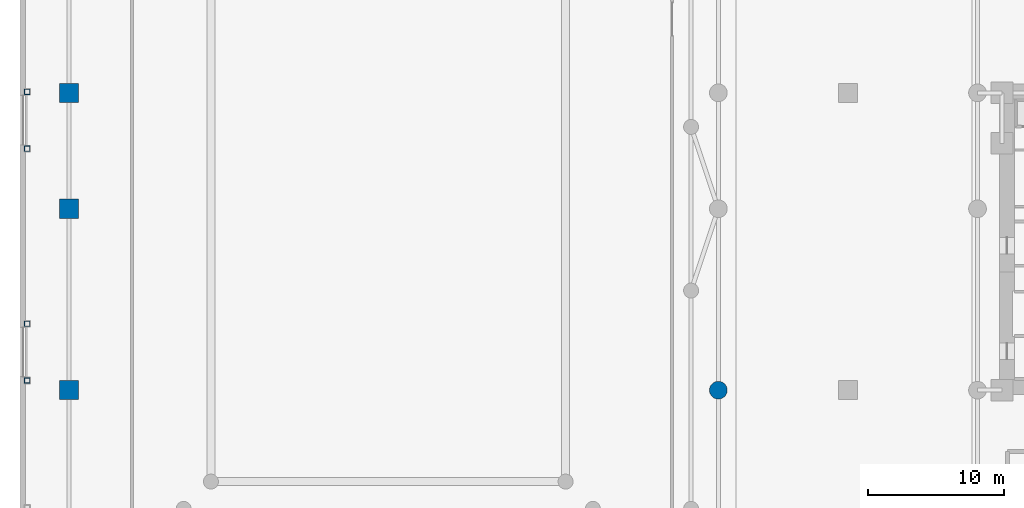
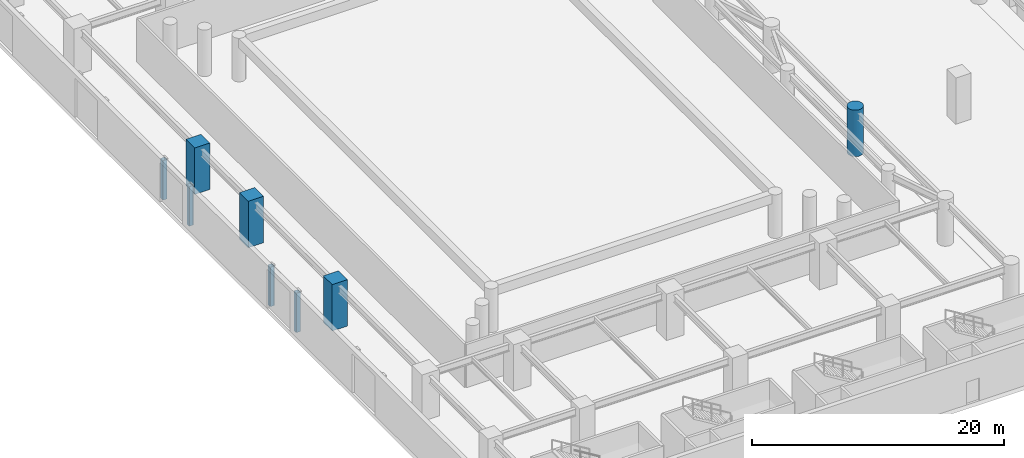
# One storey, part 3 of 42: 8 columns.
"""IFC4 building model written with IfcOpenShell, lengths in metres."""

from ifc_helpers import new_model, si_unit, direction, frame, origin, origin_2d, place, context, subcontext, project, spatial, rectangle, hollow_rectangle, circle, extrude, material, material_profile, profile_set, type_object, element, save


model = new_model("IFC4")

# Units and contexts
model_context = context("Model", 3, precision=1e-05, world=origin(), true_north=direction((0.0, 1.0)))
body_context = subcontext(model_context, "Body", "Model", "MODEL_VIEW")
ifc_project = project(units=[si_unit("LENGTHUNIT", "METRE"), si_unit("AREAUNIT", "SQUARE_METRE"), si_unit("VOLUMEUNIT", "CUBIC_METRE"), si_unit("PLANEANGLEUNIT", "RADIAN"), si_unit("MASSUNIT", "GRAM", prefix="KILO")], contexts=[model_context])

# Site, building, storey
site_placement = place(None, origin())
site = spatial("IfcSite", under=ifc_project, at=site_placement, CompositionType="ELEMENT")
building_placement = place(site_placement, origin())
building = spatial("IfcBuilding", under=site, at=building_placement, Name="Narakoshi Arena Tower", CompositionType="ELEMENT")
storey_placement = place(building_placement, origin())
storey = spatial("IfcBuildingStorey", under=building, at=storey_placement, Name="L00", CompositionType="ELEMENT", Elevation=0.0)

# Columns
ifc_material_1 = material(Name="Concrete C60/75", Category="concrete")
ifc_material_profile_1 = material_profile(ifc_material_1, circle(Radius=0.64990234375, at=origin_2d()), Name="RCC1300")
ifc_profile_set_1 = profile_set([ifc_material_profile_1], Name="Concrete C60/75")
column_type_1 = type_object("IfcColumnType", Name="COL-CIR1300", PredefinedType="PILASTER", material=ifc_profile_set_1)
column_placement = place(storey_placement, frame((51.199951171875, 34.699951171875, 0.0), z_axis=(0.0, 0.0, 1.0), x_axis=(1.0, 0.0, 0.0)))
element("IfcColumn", 1, at=column_placement, inside=storey, type_object=column_type_1, Name="L00 Podium Column PC24", PredefinedType="PILASTER", context=body_context, shape_type="SweptSolid", body=[
    extrude(circle(Radius=0.64990234375, at=origin_2d()), origin(), (0.0, 0.0, 1.0), 4.5),
])
ifc_material_profile_2 = material_profile(ifc_material_1, rectangle(XDim=1.39990234375, YDim=1.39990234375, at=origin_2d()), Name="RC1400x1400")
ifc_profile_set_2 = profile_set([ifc_material_profile_2], Name="Concrete C60/75")
column_type_2 = type_object("IfcColumnType", Name="COL-RC1400", PredefinedType="COLUMN", material=ifc_profile_set_2)
for number, where, z_axis, x_axis, name in (
    (2, (3.60009765625, 34.699951171875, 0.0), (0.0, 0.0, 1.0), (1.0, 0.0, 0.0), "L00 Podium Column PC04"),
    (3, (3.60009765625, 48.0, 0.0), (0.0, 0.0, 1.0), (1.0, 0.0, 0.0), "L00 Podium Column PC05"),
    (4, (3.60009765625, 56.5, 0.0), (0.0, 0.0, 1.0), (1.0, 0.0, 0.0), "L00 Podium Column PC06"),
):
    element("IfcColumn", number, at=place(storey_placement, frame(where, z_axis=z_axis, x_axis=x_axis)), inside=storey, type_object=column_type_2, Name=name, PredefinedType="COLUMN", context=body_context, shape_type="SweptSolid", body=[
        extrude(rectangle(XDim=1.39990234375, YDim=1.39990234375, at=origin_2d()), origin(), (0.0, 0.0, 1.0), 4.5),
    ])
ifc_material_2 = material(Name="Structural steel S355J2", Category="steel")
ifc_material_profile_3 = material_profile(ifc_material_2, hollow_rectangle(XDim=0.39990234375, YDim=0.39990234375, WallThickness=0.02001953125, OuterFilletRadius=0.0400390625, at=origin_2d()), Name="SHS400x400x20")
ifc_profile_set_3 = profile_set([ifc_material_profile_3], Name="Structural steel S355J2")
column_type_3 = type_object("IfcColumnType", Name="COL-SHS400", PredefinedType="COLUMN", material=ifc_profile_set_3)
for number, where, z_axis, x_axis, name in (
    (5, (0.52001953125, 56.570068359375, 0.0), (0.0, 0.0, 1.0), (1.0, 0.0, 0.0), "L00 Shutter Lintel Jamb Post 03N"),
    (6, (0.52001953125, 52.409912109375, 0.0), (0.0, 0.0, 1.0), (1.0, 0.0, 0.0), "L00 Shutter Lintel Jamb Post 03S"),
    (7, (0.52001953125, 39.570068359375, 0.0), (0.0, 0.0, 1.0), (1.0, 0.0, 0.0), "L00 Shutter Lintel Jamb Post 04N"),
    (8, (0.52001953125, 35.409912109375, 0.0), (0.0, 0.0, 1.0), (1.0, 0.0, 0.0), "L00 Shutter Lintel Jamb Post 04S"),
):
    element("IfcColumn", number, at=place(storey_placement, frame(where, z_axis=z_axis, x_axis=x_axis)), inside=storey, type_object=column_type_3, Name=name, PredefinedType="COLUMN", context=body_context, shape_type="SweptSolid", body=[
        extrude(hollow_rectangle(XDim=0.39990234375, YDim=0.39990234375, WallThickness=0.02001953125, OuterFilletRadius=0.0400390625, at=origin_2d()), origin(), (0.0, 0.0, 1.0), 3.820068359375),
    ])

save(model, "model.ifc")
